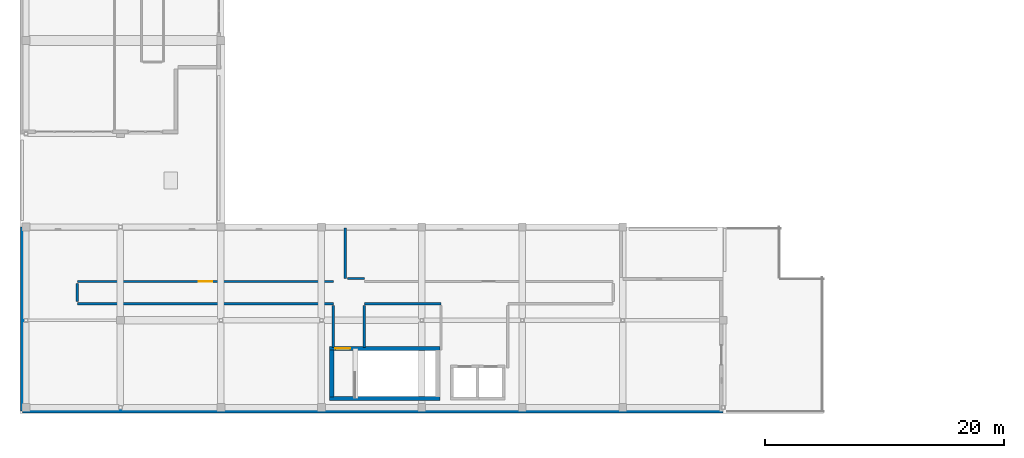
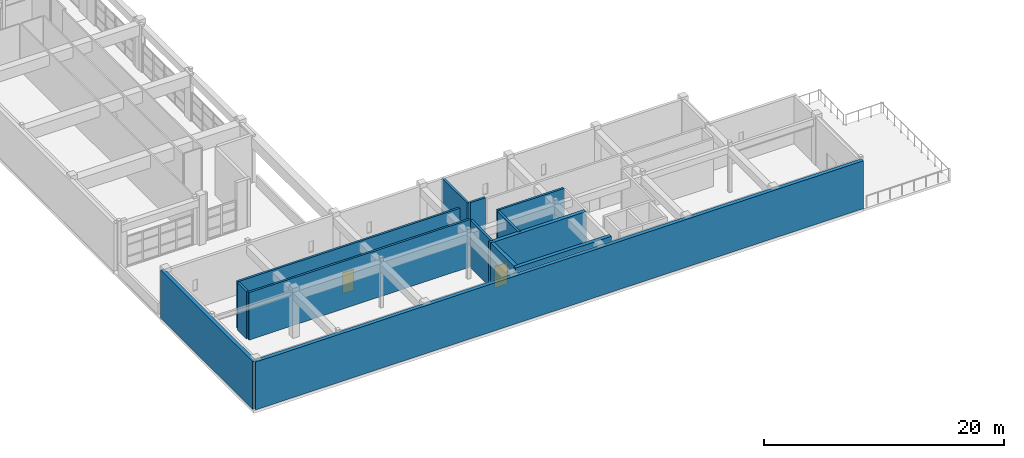
# One storey, part 64 of 78: 13 walls, 2 doors, 2 openings.
"""IFC4 building model written with IfcOpenShell, lengths in metres."""

from ifc_helpers import new_model, si_unit, direction, frame, frame_2d, origin, place, context, subcontext, project, spatial, rectangle, extrude, material, layer, layer_set, type_object, element, fill, save


model = new_model("IFC4")

# Units and contexts
model_context = context("Model", 3, precision=1e-05, world=origin(), true_north=direction((0.0, 1.0)))
body_context = subcontext(model_context, "Body", "Model", "MODEL_VIEW")
ifc_project = project(units=[si_unit("LENGTHUNIT", "METRE"), si_unit("AREAUNIT", "SQUARE_METRE"), si_unit("VOLUMEUNIT", "CUBIC_METRE"), si_unit("PLANEANGLEUNIT", "RADIAN"), si_unit("MASSUNIT", "GRAM", prefix="KILO")], contexts=[model_context])

# Site, building, storey
site_placement = place(None, origin())
site = spatial("IfcSite", under=ifc_project, at=site_placement, CompositionType="ELEMENT")
building_placement = place(site_placement, origin())
building = spatial("IfcBuilding", under=site, at=building_placement, Name="Quendrovan Civic Courthouse", CompositionType="ELEMENT")
storey_placement = place(building_placement, frame((0.0, 0.0, 20.39990234375)))
storey = spatial("IfcBuildingStorey", under=building, at=storey_placement, Name="L05", CompositionType="ELEMENT", Elevation=20.39990234375)

# Wall
ifc_material_1 = material(Name="Concrete C45/55", Category="concrete")
ifc_layer_1 = layer(ifc_material_1, 0.35009765625, Name="Concrete C45/55")
ifc_layer_set_1 = layer_set([ifc_layer_1], Name="Concrete C45/55")
wall_type_1 = type_object("IfcWallType", Name="WL-CORE-350", PredefinedType="SHEAR", material=ifc_layer_set_1)
wall_1_placement = place(storey_placement, frame((25.889892578125, 1.264892578125, 0.0), z_axis=(0.0, 0.0, 1.0), x_axis=(1.0, 0.0, 0.0)))
element("IfcWall", 1, at=wall_1_placement, inside=storey, type_object=wall_type_1, Name="L05 Core Shear Wall ST5-S", PredefinedType="SHEAR", context=body_context, shape_type="SweptSolid", body=[
    extrude(rectangle(XDim=9.22021484375, YDim=0.35009765625, at=frame_2d((4.610107421875, 0.0))), origin(), (0.0, 0.0, 1.0), 4.840087890625),
])

# Wall, opening, door
wall_2_placement = place(storey_placement, frame((35.110107421875, 5.43505859375, 0.0), z_axis=(0.0, 0.0, 1.0), x_axis=(-1.0, 0.0, 0.0)))
wall_2 = element("IfcWall", 2, at=wall_2_placement, inside=storey, type_object=wall_type_1, Name="L05 Core Shear Wall ST5-N", PredefinedType="SHEAR", context=body_context, shape_type="SweptSolid", body=[
    extrude(rectangle(XDim=9.22021484375, YDim=0.35009765625, at=frame_2d((4.610107421875, 0.0))), origin(), (0.0, 0.0, 1.0), 4.840087890625),
])
opening_1_placement = place(wall_2_placement, frame((7.5, 0.0, 0.0)))
opening_1 = element("IfcOpeningElement", 3, at=opening_1_placement, cuts=wall_2, Name="Opening DS-ST5-L05", PredefinedType="OPENING", context=body_context, shape_type="SweptSolid", body=[
    extrude(rectangle(XDim=1.25, YDim=2.199951171875, at=frame_2d((0.625, 1.10009765625))), frame((0.0, 0.18505859375, 0.0), z_axis=(0.0, -1.0, 0.0), x_axis=(1.0, 0.0, 0.0)), (0.0, 0.0, 1.0), 0.3701171875),
])
ifc_material_2 = material(Name="Painted galvanized hollow-metal steel", Category="steel")
door_type_1 = type_object("IfcDoorType", Name="DR-STAIR-1250", OperationType="NOTDEFINED", PredefinedType="DOOR", material=ifc_material_2)
door_1_placement = place(opening_1_placement, origin())
door_1 = element("IfcDoor", 4, at=door_1_placement, inside=storey, type_object=door_type_1, Name="L05 Exit Stair ST5 Fire Door", OperationType="SINGLE_SWING_LEFT", OverallHeight=2.199951171875, OverallWidth=1.25, PredefinedType="DOOR", context=body_context, shape_type="SweptSolid", body=[
    extrude(rectangle(XDim=1.25, YDim=2.199951171875, at=frame_2d((0.625, 1.10009765625))), frame((0.0, 0.02490234375, 0.0), z_axis=(0.0, -1.0, 0.0), x_axis=(1.0, 0.0, 0.0)), (0.0, 0.0, 1.0), 0.050048828125),
])
fill(opening_1, door_1)

# Wall
wall_3_placement = place(storey_placement, frame((26.06494140625, 1.39990234375, 0.0), z_axis=(0.0, 0.0, 1.0), x_axis=(0.0, 1.0, 0.0)))
element("IfcWall", 5, at=wall_3_placement, inside=storey, type_object=wall_type_1, Name="L05 Core Shear Wall ST5-W", PredefinedType="SHEAR", context=body_context, shape_type="SweptSolid", body=[
    extrude(rectangle(XDim=3.900146484375, YDim=0.35009765625, at=frame_2d((1.9501953125, 0.0))), origin(), (0.0, 0.0, 1.0), 4.840087890625),
])

# Wall, opening, door
ifc_material_3 = material(Name="Concrete C40/50", Category="concrete")
ifc_layer_2 = layer(ifc_material_3, 0.199951171875, Name="Concrete C40/50")
ifc_layer_set_2 = layer_set([ifc_layer_2], Name="Concrete C40/50")
wall_type_2 = type_object("IfcWallType", Name="WL-CUST-200", PredefinedType="PARTITIONING", material=ifc_layer_set_2)
wall_4_placement = place(storey_placement, frame((26.199951171875, 11.050048828125, 0.0), z_axis=(0.0, 0.0, 1.0), x_axis=(-1.0, 0.0, 0.0)))
wall_4 = element("IfcWall", 6, at=wall_4_placement, inside=storey, type_object=wall_type_2, Name="L05 High-Security Custody Suite Partition 0664", PredefinedType="PARTITIONING", context=body_context, shape_type="SweptSolid", body=[
    extrude(rectangle(XDim=21.39990234375, YDim=0.199951171875, at=frame_2d((10.699951171875, 0.0))), origin(), (0.0, 0.0, 1.0), 4.840087890625),
])
opening_2_placement = place(wall_4_placement, frame((10.139892578125, 0.0, 0.0)))
opening_2 = element("IfcOpeningElement", 7, at=opening_2_placement, cuts=wall_4, Name="Opening D-L05-090", PredefinedType="OPENING", context=body_context, shape_type="SweptSolid", body=[
    extrude(rectangle(XDim=1.1201171875, YDim=2.14990234375, at=frame_2d((0.56005859375, 1.074951171875))), frame((0.0, 0.10986328125, 0.0), z_axis=(0.0, -1.0, 0.0), x_axis=(1.0, 0.0, 0.0)), (0.0, 0.0, 1.0), 0.219970703125),
])
ifc_material_4 = material(Name="Heavy-gauge security steel door", Category="steel")
door_type_2 = type_object("IfcDoorType", Name="DR-CUST-1120", OperationType="NOTDEFINED", PredefinedType="DOOR", material=ifc_material_4)
door_2_placement = place(opening_2_placement, origin())
door_2 = element("IfcDoor", 8, at=door_2_placement, inside=storey, type_object=door_type_2, Name="L05 High-Security Custody Suite Door D-L05-090", OperationType="SINGLE_SWING_LEFT", OverallHeight=2.14990234375, OverallWidth=1.1201171875, PredefinedType="DOOR", context=body_context, shape_type="SweptSolid", body=[
    extrude(rectangle(XDim=1.1201171875, YDim=2.14990234375, at=frame_2d((0.56005859375, 1.074951171875))), frame((0.0, 0.02490234375, 0.0), z_axis=(0.0, -1.0, 0.0), x_axis=(1.0, 0.0, 0.0)), (0.0, 0.0, 1.0), 0.050048828125),
])
fill(opening_2, door_2)

# Walls
wall_5_placement = place(storey_placement, frame((4.800048828125, 9.199951171875, 0.0), z_axis=(0.0, 0.0, 1.0), x_axis=(1.0, 0.0, 0.0)))
element("IfcWall", 9, at=wall_5_placement, inside=storey, type_object=wall_type_2, Name="L05 High-Security Custody Suite Partition 0665", PredefinedType="PARTITIONING", context=body_context, shape_type="SweptSolid", body=[
    extrude(rectangle(XDim=21.39990234375, YDim=0.199951171875, at=frame_2d((10.699951171875, 0.0))), origin(), (0.0, 0.0, 1.0), 4.840087890625),
])
wall_6_placement = place(storey_placement, frame((28.800048828125, 9.199951171875, 0.0), z_axis=(0.0, 0.0, 1.0), x_axis=(1.0, 0.0, 0.0)))
element("IfcWall", 10, at=wall_6_placement, inside=storey, type_object=wall_type_2, Name="L05 Custody Holding Cell Partition 0690", PredefinedType="PARTITIONING", context=body_context, shape_type="SweptSolid", body=[
    extrude(rectangle(XDim=6.39990234375, YDim=0.199951171875, at=frame_2d((3.199951171875, 0.0))), origin(), (0.0, 0.0, 1.0), 4.840087890625),
])
wall_7_placement = place(storey_placement, frame((27.199951171875, 15.5400390625, 0.0), z_axis=(0.0, 0.0, 1.0), x_axis=(0.0, -1.0, 0.0)))
element("IfcWall", 11, at=wall_7_placement, inside=storey, type_object=wall_type_2, Name="L05 High-Security Custody Suite Partition 0705", PredefinedType="PARTITIONING", context=body_context, shape_type="SweptSolid", body=[
    extrude(rectangle(XDim=4.239990234375, YDim=0.199951171875, at=frame_2d((2.1201171875, 0.0))), origin(), (0.0, 0.0, 1.0), 4.840087890625),
])
for number, where, z_axis, x_axis, name in (
    (12, (26.199951171875, 9.02001953125, 0.0), (0.0, 0.0, 1.0), (0.0, -1.0, 0.0), "L05 High-Security Custody Suite Partition 0710"),
    (13, (28.800048828125, 5.52001953125, 0.0), (0.0, 0.0, 1.0), (0.0, 1.0, 0.0), "L05 Custody Holding Cell Partition 0711"),
):
    element("IfcWall", number, at=place(storey_placement, frame(where, z_axis=z_axis, x_axis=x_axis)), inside=storey, type_object=wall_type_2, Name=name, PredefinedType="PARTITIONING", context=body_context, shape_type="SweptSolid", body=[
        extrude(rectangle(XDim=3.5, YDim=0.199951171875, at=frame_2d((1.75, 0.0))), origin(), (0.0, 0.0, 1.0), 4.840087890625),
    ])
wall_8_placement = place(storey_placement, frame((4.800048828125, 10.8701171875, 0.0), z_axis=(0.0, 0.0, 1.0), x_axis=(0.0, -1.0, 0.0)))
element("IfcWall", 14, at=wall_8_placement, inside=storey, type_object=wall_type_2, Name="L05 High-Security Custody Suite Partition 0740", PredefinedType="PARTITIONING", context=body_context, shape_type="SweptSolid", body=[
    extrude(rectangle(XDim=1.490234375, YDim=0.199951171875, at=frame_2d((0.7451171875, 0.0))), origin(), (0.0, 0.0, 1.0), 4.840087890625),
])
wall_9_placement = place(storey_placement, frame((28.800048828125, 11.300048828125, 0.0), z_axis=(0.0, 0.0, 1.0), x_axis=(-1.0, 0.0, 0.0)))
element("IfcWall", 15, at=wall_9_placement, inside=storey, type_object=wall_type_2, Name="L05 Custody Holding Cell Partition 0744", PredefinedType="PARTITIONING", context=body_context, shape_type="SweptSolid", body=[
    extrude(rectangle(XDim=1.420166015625, YDim=0.199951171875, at=frame_2d((0.7099609375, 0.0))), origin(), (0.0, 0.0, 1.0), 4.840087890625),
])
ifc_layer_3 = layer(ifc_material_3, 0.360107421875, Name="Concrete C40/50")
ifc_layer_set_3 = layer_set([ifc_layer_3], Name="Concrete C40/50")
wall_type_3 = type_object("IfcWallType", Name="WL-PARTY-360", PredefinedType="SOLIDWALL", material=ifc_layer_set_3)
wall_10_placement = place(storey_placement, frame((58.800048828125, 0.2099609375, 0.0), z_axis=(0.0, 0.0, 1.0), x_axis=(-1.0, 0.0, 0.0)))
element("IfcWall", 16, at=wall_10_placement, inside=storey, type_object=wall_type_3, Name="L05 Fire-Rated Boundary Party Wall 415", PredefinedType="SOLIDWALL", context=body_context, shape_type="SweptSolid", body=[
    extrude(rectangle(XDim=58.590087890625, YDim=0.360107421875, at=frame_2d((29.294921875, 0.0))), origin(), (0.0, 0.0, 1.0), 4.880126953125),
])
wall_11_placement = place(storey_placement, frame((0.2099609375, 0.2099609375, 0.0), z_axis=(0.0, 0.0, 1.0), x_axis=(0.0, 1.0, 0.0)))
element("IfcWall", 17, at=wall_11_placement, inside=storey, type_object=wall_type_3, Name="L05 Fire-Rated Boundary Party Wall 416", PredefinedType="SOLIDWALL", context=body_context, shape_type="SweptSolid", body=[
    extrude(rectangle(XDim=15.39013671875, YDim=0.360107421875, at=frame_2d((7.695068359375, 0.0))), origin(), (0.0, 0.0, 1.0), 4.880126953125),
])

save(model, "model.ifc")
